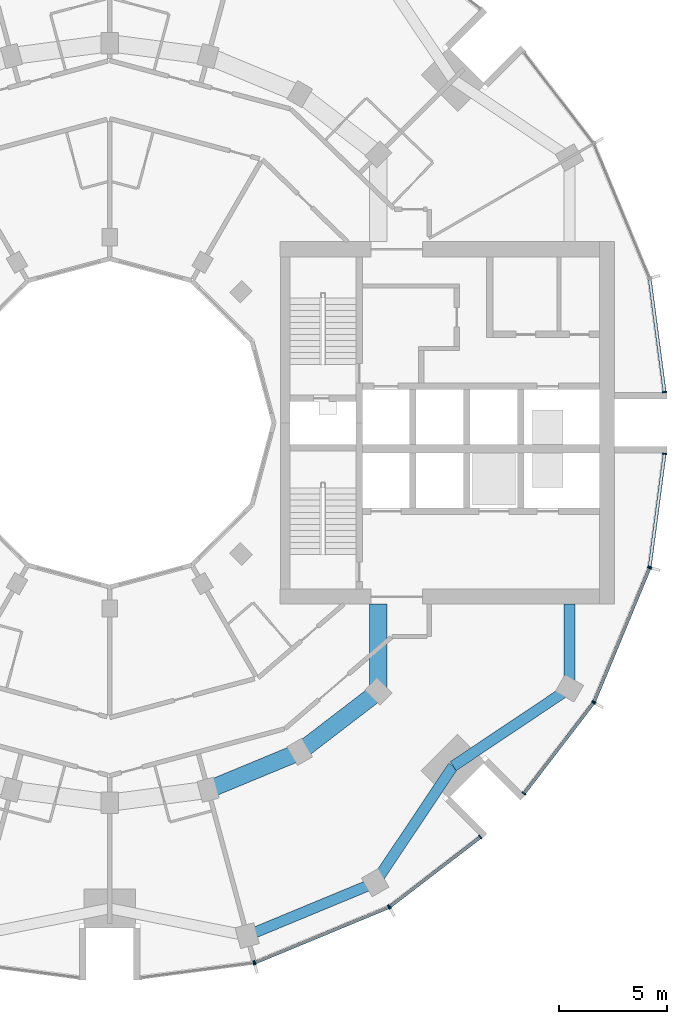
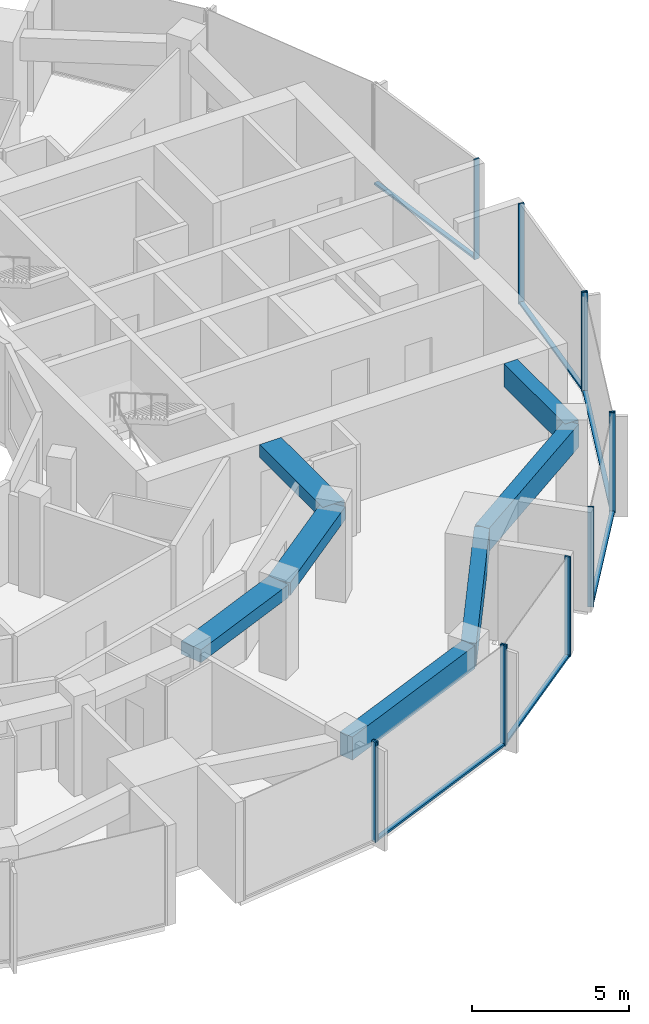
# One storey, part 4 of 15: 18 members, 7 beams, 7 elements without a shape of their own.
"""IFC4 building model written with IfcOpenShell, lengths in metres."""

from ifc_helpers import new_model, si_unit, direction, frame, origin, origin_2d, place, context, subcontext, project, spatial, rectangle, extrude, material, layer, layer_set, material_profile, profile_set, type_object, element, aggregate, save


model = new_model("IFC4")

# Units and contexts
model_context = context("Model", 3, precision=1e-05, world=origin(), true_north=direction((0.0, 1.0)))
body_context = subcontext(model_context, "Body", "Model", "MODEL_VIEW")
ifc_project = project(units=[si_unit("LENGTHUNIT", "METRE"), si_unit("AREAUNIT", "SQUARE_METRE"), si_unit("VOLUMEUNIT", "CUBIC_METRE"), si_unit("PLANEANGLEUNIT", "RADIAN"), si_unit("MASSUNIT", "GRAM", prefix="KILO")], contexts=[model_context])

# Site, building, storey
site_placement = place(None, origin())
site = spatial("IfcSite", under=ifc_project, at=site_placement, CompositionType="ELEMENT")
building_placement = place(site_placement, origin())
building = spatial("IfcBuilding", under=site, at=building_placement, Name="Torre Brocal", CompositionType="ELEMENT")
storey_placement = place(building_placement, frame((0.0, 0.0, 145.800048828125)))
storey = spatial("IfcBuildingStorey", under=building, at=storey_placement, Name="L34", CompositionType="ELEMENT", Elevation=145.800048828125)

# Curtain wall, member
ifc_material_1 = material(Name="Aluminium and glass", Category="aluminium")
ifc_layer_1 = layer(ifc_material_1, 0.199951171875)
ifc_layer_set_1 = layer_set([ifc_layer_1], Name="Aluminium and glass")
curtain_wall_type_1 = type_object("IfcCurtainWallType", Name="CW-1 CURTAIN WALL 3900 HIGH", PredefinedType="NOTDEFINED", material=ifc_layer_set_1)
curtain_wall_1_placement = place(storey_placement, origin())
curtain_wall_1 = element("IfcCurtainWall", 1, at=curtain_wall_1_placement, inside=storey, type_object=curtain_wall_type_1, Name="CW-1 RUN 19", PredefinedType="NOTDEFINED")
ifc_material_2 = material(Name="Aluminium, dark anodised", Category="aluminium")
ifc_material_profile_1 = material_profile(ifc_material_2, rectangle(XDim=0.199951171875, YDim=0.06005859375, at=origin_2d()), Name="CW-1 MULLION 60X200")
ifc_profile_set_1 = profile_set([ifc_material_profile_1], Name="Aluminium, dark anodised")
member_type_1 = type_object("IfcMemberType", Name="CW-1 MULLION 60X200", PredefinedType="MULLION", material=ifc_profile_set_1)
member_1_placement = place(storey_placement, frame((86.67333984375, 49.9794921875, 0.0), z_axis=(0.0, 0.0, 1.0), x_axis=(-0.13052619222, 0.991444861374, 0.0)))
member_1 = element("IfcMember", 2, at=member_1_placement, type_object=member_type_1, Name="CW1-3 mullion 2", PredefinedType="MULLION", context=body_context, shape_type="SweptSolid", body=[
    extrude(rectangle(XDim=0.199951171875, YDim=0.06005859375, at=origin_2d()), origin(), (0.0, 0.0, 1.0), 3.89990234375),
])
aggregate(curtain_wall_1, [member_1])

# Curtain wall, members
curtain_wall_2_placement = place(storey_placement, origin())
curtain_wall_2 = element("IfcCurtainWall", 3, at=curtain_wall_2_placement, inside=storey, type_object=curtain_wall_type_1, Name="CW-1 RUN 20", PredefinedType="NOTDEFINED")
member_2_placement = place(storey_placement, frame((86.73095703125, 49.994873046875, 0.0), z_axis=(0.0, 0.0, 1.0), x_axis=(-0.382683432333, 0.923879532525, 0.0)))
member_2 = element("IfcMember", 4, at=member_2_placement, type_object=member_type_1, Name="CW1-3 mullion 1", PredefinedType="MULLION", context=body_context, shape_type="SweptSolid", body=[
    extrude(rectangle(XDim=0.199951171875, YDim=0.06005859375, at=origin_2d()), origin(), (0.0, 0.0, 1.0), 3.89990234375),
])
member_3_placement = place(storey_placement, frame((92.921875, 52.559326171875, 0.0), z_axis=(0.0, 0.0, 1.0), x_axis=(-0.382683432333, 0.923879532525, 0.0)))
member_3 = element("IfcMember", 5, at=member_3_placement, type_object=member_type_1, Name="CW1-3 mullion 2", PredefinedType="MULLION", context=body_context, shape_type="SweptSolid", body=[
    extrude(rectangle(XDim=0.199951171875, YDim=0.06005859375, at=origin_2d()), origin(), (0.0, 0.0, 1.0), 3.89990234375),
])

curtain_wall_3_placement = place(storey_placement, origin())
curtain_wall_3 = element("IfcCurtainWall", 6, at=curtain_wall_3_placement, inside=storey, type_object=curtain_wall_type_1, Name="CW-1 RUN 21", PredefinedType="NOTDEFINED")
member_4_placement = place(storey_placement, frame((92.973388671875, 52.5888671875, 0.0), z_axis=(0.0, 0.0, 1.0), x_axis=(-0.60876142905, 0.793353340259, 0.0)))
member_4 = element("IfcMember", 7, at=member_4_placement, type_object=member_type_1, Name="CW1-3 mullion 1", PredefinedType="MULLION", context=body_context, shape_type="SweptSolid", body=[
    extrude(rectangle(XDim=0.199951171875, YDim=0.06005859375, at=origin_2d()), origin(), (0.0, 0.0, 1.0), 3.89990234375),
])
member_5_placement = place(storey_placement, frame((97.16943359375, 55.80859375, 0.0), z_axis=(0.0, 0.0, 1.0), x_axis=(-0.60876142905, 0.793353340259, 0.0)))
member_5 = element("IfcMember", 8, at=member_5_placement, type_object=member_type_1, Name="CW1-3 mullion 2", PredefinedType="MULLION", context=body_context, shape_type="SweptSolid", body=[
    extrude(rectangle(XDim=0.199951171875, YDim=0.06005859375, at=origin_2d()), origin(), (0.0, 0.0, 1.0), 3.89990234375),
])

curtain_wall_4_placement = place(storey_placement, origin())
curtain_wall_4 = element("IfcCurtainWall", 9, at=curtain_wall_4_placement, inside=storey, type_object=curtain_wall_type_1, Name="CW-1 RUN 22", PredefinedType="NOTDEFINED")
member_6_placement = place(storey_placement, frame((99.19140625, 57.83056640625, 0.0), z_axis=(0.0, 0.0, 1.0), x_axis=(-0.793353340259, 0.60876142905, 0.0)))
member_6 = element("IfcMember", 10, at=member_6_placement, type_object=member_type_1, Name="CW1-3 mullion 1", PredefinedType="MULLION", context=body_context, shape_type="SweptSolid", body=[
    extrude(rectangle(XDim=0.199951171875, YDim=0.06005859375, at=origin_2d()), origin(), (0.0, 0.0, 1.0), 3.89990234375),
])
member_7_placement = place(storey_placement, frame((102.4111328125, 62.026611328125, 0.0), z_axis=(0.0, 0.0, 1.0), x_axis=(-0.793353340259, 0.60876142905, 0.0)))
member_7 = element("IfcMember", 11, at=member_7_placement, type_object=member_type_1, Name="CW1-3 mullion 2", PredefinedType="MULLION", context=body_context, shape_type="SweptSolid", body=[
    extrude(rectangle(XDim=0.199951171875, YDim=0.06005859375, at=origin_2d()), origin(), (0.0, 0.0, 1.0), 3.89990234375),
])

curtain_wall_5_placement = place(storey_placement, origin())
curtain_wall_5 = element("IfcCurtainWall", 12, at=curtain_wall_5_placement, inside=storey, type_object=curtain_wall_type_1, Name="CW-1 RUN 23", PredefinedType="NOTDEFINED")
member_8_placement = place(storey_placement, frame((102.440673828125, 62.078125, 0.0), z_axis=(0.0, 0.0, 1.0), x_axis=(-0.923879532525, 0.382683432333, 0.0)))
member_8 = element("IfcMember", 13, at=member_8_placement, type_object=member_type_1, Name="CW1-3 mullion 1", PredefinedType="MULLION", context=body_context, shape_type="SweptSolid", body=[
    extrude(rectangle(XDim=0.199951171875, YDim=0.06005859375, at=origin_2d()), origin(), (0.0, 0.0, 1.0), 3.89990234375),
])
member_9_placement = place(storey_placement, frame((105.005126953125, 68.26904296875, 0.0), z_axis=(0.0, 0.0, 1.0), x_axis=(-0.923879532525, 0.382683432333, 0.0)))
member_9 = element("IfcMember", 14, at=member_9_placement, type_object=member_type_1, Name="CW1-3 mullion 2", PredefinedType="MULLION", context=body_context, shape_type="SweptSolid", body=[
    extrude(rectangle(XDim=0.199951171875, YDim=0.06005859375, at=origin_2d()), origin(), (0.0, 0.0, 1.0), 3.89990234375),
])

# Member
ifc_material_3 = material(Name="Aluminium, dark anodised", Category="aluminium")
ifc_material_profile_2 = material_profile(ifc_material_3, rectangle(XDim=0.159912109375, YDim=0.080078125, at=origin_2d()), Name="CW-1 TRANSOM 160X80")
ifc_profile_set_2 = profile_set([ifc_material_profile_2], Name="Aluminium, dark anodised")
member_type_2 = type_object("IfcMemberType", Name="CW-1 TRANSOM 160X80", PredefinedType="USERDEFINED", material=ifc_profile_set_2)
member_10_placement = place(storey_placement, frame((86.758544921875, 50.00634765625, 0.0400390625), z_axis=(0.923887344364, 0.38266457234, 0.0), x_axis=(-0.38266457234, 0.923887344364, 0.0)))
member_10 = element("IfcMember", 15, at=member_10_placement, type_object=member_type_2, Name="CW1-3 transom 1.1", ObjectType="TRANSOM", PredefinedType="USERDEFINED", context=body_context, shape_type="SweptSolid", body=[
    extrude(rectangle(XDim=0.159912109375, YDim=0.080078125, at=origin_2d()), origin(), (0.0, 0.0, 1.0), 6.640869140625),
])

aggregate(curtain_wall_2, [member_2, member_3, member_10])

member_11_placement = place(storey_placement, frame((92.9970703125, 52.607177734375, 0.0400390625), z_axis=(0.79336281513, 0.60874908096, 0.0), x_axis=(-0.60874908096, 0.79336281513, 0.0)))
member_11 = element("IfcMember", 16, at=member_11_placement, type_object=member_type_2, Name="CW1-3 transom 1.1", ObjectType="TRANSOM", PredefinedType="USERDEFINED", context=body_context, shape_type="SweptSolid", body=[
    extrude(rectangle(XDim=0.159912109375, YDim=0.080078125, at=origin_2d()), origin(), (0.0, 0.0, 1.0), 5.22900390625),
])

aggregate(curtain_wall_3, [member_4, member_5, member_11])

member_12_placement = place(storey_placement, frame((99.209716796875, 57.8544921875, 0.0400390625), z_axis=(0.60874908096, 0.79336281513, 0.0), x_axis=(-0.79336281513, 0.60874908096, 0.0)))
member_12 = element("IfcMember", 17, at=member_12_placement, type_object=member_type_2, Name="CW1-3 transom 1.1", ObjectType="TRANSOM", PredefinedType="USERDEFINED", context=body_context, shape_type="SweptSolid", body=[
    extrude(rectangle(XDim=0.159912109375, YDim=0.080078125, at=origin_2d()), origin(), (0.0, 0.0, 1.0), 5.22900390625),
])

aggregate(curtain_wall_4, [member_6, member_7, member_12])

member_13_placement = place(storey_placement, frame((102.452392578125, 62.10595703125, 0.0400390625), z_axis=(0.38266457234, 0.923887344364, 0.0), x_axis=(-0.923887344364, 0.38266457234, 0.0)))
member_13 = element("IfcMember", 18, at=member_13_placement, type_object=member_type_2, Name="CW1-3 transom 1.1", ObjectType="TRANSOM", PredefinedType="USERDEFINED", context=body_context, shape_type="SweptSolid", body=[
    extrude(rectangle(XDim=0.159912109375, YDim=0.080078125, at=origin_2d()), origin(), (0.0, 0.0, 1.0), 6.640869140625),
])

aggregate(curtain_wall_5, [member_8, member_9, member_13])

# Curtain wall, member
ifc_material_4 = material(Name="Aluminium and glass", Category="aluminium")
ifc_layer_2 = layer(ifc_material_4, 0.199951171875)
ifc_layer_set_2 = layer_set([ifc_layer_2], Name="Aluminium and glass")
curtain_wall_type_2 = type_object("IfcCurtainWallType", Name="CW-1B CURTAIN WALL 3900 HIGH", PredefinedType="NOTDEFINED", material=ifc_layer_set_2)
curtain_wall_6_placement = place(storey_placement, origin())
curtain_wall_6 = element("IfcCurtainWall", 19, at=curtain_wall_6_placement, inside=storey, type_object=curtain_wall_type_2, Name="CW-1B RUN 1", PredefinedType="NOTDEFINED")
ifc_material_5 = material(Name="Aluminium, dark anodised", Category="aluminium")
ifc_material_profile_3 = material_profile(ifc_material_5, rectangle(XDim=0.199951171875, YDim=0.06005859375, at=origin_2d()), Name="CW-1B MULLION 60X200")
ifc_profile_set_3 = profile_set([ifc_material_profile_3], Name="Aluminium, dark anodised")
member_type_3 = type_object("IfcMemberType", Name="CW-1B MULLION 60X200", PredefinedType="MULLION", material=ifc_profile_set_3)
member_14_placement = place(storey_placement, frame((105.7109375, 76.4296875, 0.0), z_axis=(0.0, 0.0, 1.0), x_axis=(-0.991444861374, -0.13052619222, 0.0)))
member_14 = element("IfcMember", 20, at=member_14_placement, type_object=member_type_3, Name="CW1B-3 mullion 1", PredefinedType="MULLION", context=body_context, shape_type="SweptSolid", body=[
    extrude(rectangle(XDim=0.199951171875, YDim=0.06005859375, at=origin_2d()), origin(), (0.0, 0.0, 1.0), 3.89990234375),
])

# Curtain wall, members
curtain_wall_7_placement = place(storey_placement, origin())
curtain_wall_7 = element("IfcCurtainWall", 21, at=curtain_wall_7_placement, inside=storey, type_object=curtain_wall_type_2, Name="CW-1B RUN 24", PredefinedType="NOTDEFINED")
member_15_placement = place(storey_placement, frame((105.0205078125, 68.32666015625, 0.0), z_axis=(0.0, 0.0, 1.0), x_axis=(-0.991444861374, 0.13052619222, 0.0)))
member_15 = element("IfcMember", 22, at=member_15_placement, type_object=member_type_3, Name="CW1B-3 mullion 1", PredefinedType="MULLION", context=body_context, shape_type="SweptSolid", body=[
    extrude(rectangle(XDim=0.199951171875, YDim=0.06005859375, at=origin_2d()), origin(), (0.0, 0.0, 1.0), 3.89990234375),
])
member_16_placement = place(storey_placement, frame((105.7109375, 73.5703125, 0.0), z_axis=(0.0, 0.0, 1.0), x_axis=(-0.991444861374, 0.13052619222, 0.0)))
member_16 = element("IfcMember", 23, at=member_16_placement, type_object=member_type_3, Name="CW1B-3 mullion 2", PredefinedType="MULLION", context=body_context, shape_type="SweptSolid", body=[
    extrude(rectangle(XDim=0.199951171875, YDim=0.06005859375, at=origin_2d()), origin(), (0.0, 0.0, 1.0), 3.89990234375),
])

# Member
ifc_material_6 = material(Name="Aluminium, dark anodised", Category="aluminium")
ifc_material_profile_4 = material_profile(ifc_material_6, rectangle(XDim=0.159912109375, YDim=0.080078125, at=origin_2d()), Name="CW-1B TRANSOM 160X80")
ifc_profile_set_4 = profile_set([ifc_material_profile_4], Name="Aluminium, dark anodised")
member_type_4 = type_object("IfcMemberType", Name="CW-1B TRANSOM 160X80", PredefinedType="USERDEFINED", material=ifc_profile_set_4)
member_17_placement = place(storey_placement, frame((105.70703125, 76.45947265625, 0.0400390625), z_axis=(-0.130542677827, 0.991442690863, 0.0), x_axis=(-0.991442690863, -0.130542677827, 0.0)))
member_17 = element("IfcMember", 24, at=member_17_placement, type_object=member_type_4, Name="CW1B-3 transom 1.1", ObjectType="TRANSOM", PredefinedType="USERDEFINED", context=body_context, shape_type="SweptSolid", body=[
    extrude(rectangle(XDim=0.159912109375, YDim=0.080078125, at=origin_2d()), origin(), (0.0, 0.0, 1.0), 5.22900390625),
])

aggregate(curtain_wall_6, [member_14, member_17])

member_18_placement = place(storey_placement, frame((105.0244140625, 68.356201171875, 0.0400390625), z_axis=(0.130542677827, 0.991442690863, 0.0), x_axis=(-0.991442690863, 0.130542677827, 0.0)))
member_18 = element("IfcMember", 25, at=member_18_placement, type_object=member_type_4, Name="CW1B-3 transom 1.1", ObjectType="TRANSOM", PredefinedType="USERDEFINED", context=body_context, shape_type="SweptSolid", body=[
    extrude(rectangle(XDim=0.159912109375, YDim=0.080078125, at=origin_2d()), origin(), (0.0, 0.0, 1.0), 5.22900390625),
])

aggregate(curtain_wall_7, [member_15, member_16, member_18])

# Beams
ifc_material_7 = material(Name="Concrete C50", Category="concrete")
ifc_material_profile_5 = material_profile(ifc_material_7, rectangle(XDim=0.800048828125, YDim=0.5, at=origin_2d()), Name="RC 800X500")
ifc_profile_set_5 = profile_set([ifc_material_profile_5], Name="Concrete C50")
beam_type_1 = type_object("IfcBeamType", Name="RC BEAM 800X500 C50 TOP 3500", PredefinedType="BEAM", material=ifc_profile_set_5)
beam_1_placement = place(storey_placement, frame((84.55517578125, 57.999755859375, 3.25), z_axis=(0.923878240166, 0.382686552348, 0.0), x_axis=(-0.382686552348, 0.923878240166, 0.0)))
element("IfcBeam", 26, at=beam_1_placement, inside=storey, type_object=beam_type_1, Name="Beam BT-30", PredefinedType="BEAM", context=body_context, shape_type="SweptSolid", body=[
    extrude(rectangle(XDim=0.800048828125, YDim=0.5, at=origin_2d()), origin(), (0.0, 0.0, 1.0), 4.5947265625),
])
beam_2_placement = place(storey_placement, frame((88.800048828125, 59.758056640625, 3.25), z_axis=(0.793358265959, 0.6087550097, 0.0), x_axis=(-0.6087550097, 0.793358265959, 0.0)))
element("IfcBeam", 27, at=beam_2_placement, inside=storey, type_object=beam_type_1, Name="Beam BT-30", PredefinedType="BEAM", context=body_context, shape_type="SweptSolid", body=[
    extrude(rectangle(XDim=0.800048828125, YDim=0.5, at=origin_2d()), origin(), (0.0, 0.0, 1.0), 4.594482421875),
])
beam_3_placement = place(storey_placement, frame((92.445068359375, 62.554931640625, 3.25), z_axis=(0.0, 1.0, 0.0), x_axis=(-1.0, 0.0, 0.0)))
element("IfcBeam", 28, at=beam_3_placement, inside=storey, type_object=beam_type_1, Name="Beam BT-30", PredefinedType="BEAM", context=body_context, shape_type="SweptSolid", body=[
    extrude(rectangle(XDim=0.800048828125, YDim=0.5, at=origin_2d()), origin(), (0.0, 0.0, 1.0), 4.045166015625),
])
ifc_material_8 = material(Name="Concrete C50", Category="concrete")
ifc_material_profile_6 = material_profile(ifc_material_8, rectangle(XDim=0.5, YDim=0.89990234375, at=origin_2d()), Name="RC 500X900")
ifc_profile_set_6 = profile_set([ifc_material_profile_6], Name="Concrete C50")
beam_type_2 = type_object("IfcBeamType", Name="RC SPANDREL BEAM 500X900 C50 TOP 3500", PredefinedType="SPANDREL", material=ifc_profile_set_6)
beam_4_placement = place(storey_placement, frame((86.366943359375, 51.23828125, 3.050048828125), z_axis=(0.923882462513, 0.382676358639, 0.0), x_axis=(-0.382676358639, 0.923882462513, 0.0)))
element("IfcBeam", 29, at=beam_4_placement, inside=storey, type_object=beam_type_2, Name="Beam BT-31", PredefinedType="SPANDREL", context=body_context, shape_type="SweptSolid", body=[
    extrude(rectangle(XDim=0.5, YDim=0.89990234375, at=origin_2d()), origin(), (0.0, 0.0, 1.0), 6.421875),
])
for number, where, z_axis, x_axis, name in (
    (30, (92.300048828125, 53.69580078125, 3.050048828125), (0.556157602282, 0.831076844476, 0.0), (-0.831076844476, 0.556157602282, 0.0), "Beam BT-31"),
    (31, (95.909912109375, 59.090087890625, 3.050048828125), (0.831076844476, 0.556157602282, 0.0), (-0.556157602282, 0.831076844476, 0.0), "Beam BT-31"),
):
    element("IfcBeam", number, at=place(storey_placement, frame(where, z_axis=z_axis, x_axis=x_axis)), inside=storey, type_object=beam_type_2, Name=name, PredefinedType="SPANDREL", context=body_context, shape_type="SweptSolid", body=[
        extrude(rectangle(XDim=0.5, YDim=0.89990234375, at=origin_2d()), origin(), (0.0, 0.0, 1.0), 6.49072265625),
    ])
beam_5_placement = place(storey_placement, frame((101.30419921875, 62.699951171875, 3.050048828125), z_axis=(0.0, 1.0, 0.0), x_axis=(-1.0, 0.0, 0.0)))
element("IfcBeam", 32, at=beam_5_placement, inside=storey, type_object=beam_type_2, Name="Beam BT-31", PredefinedType="SPANDREL", context=body_context, shape_type="SweptSolid", body=[
    extrude(rectangle(XDim=0.5, YDim=0.89990234375, at=origin_2d()), origin(), (0.0, 0.0, 1.0), 3.900146484375),
])

save(model, "model.ifc")
